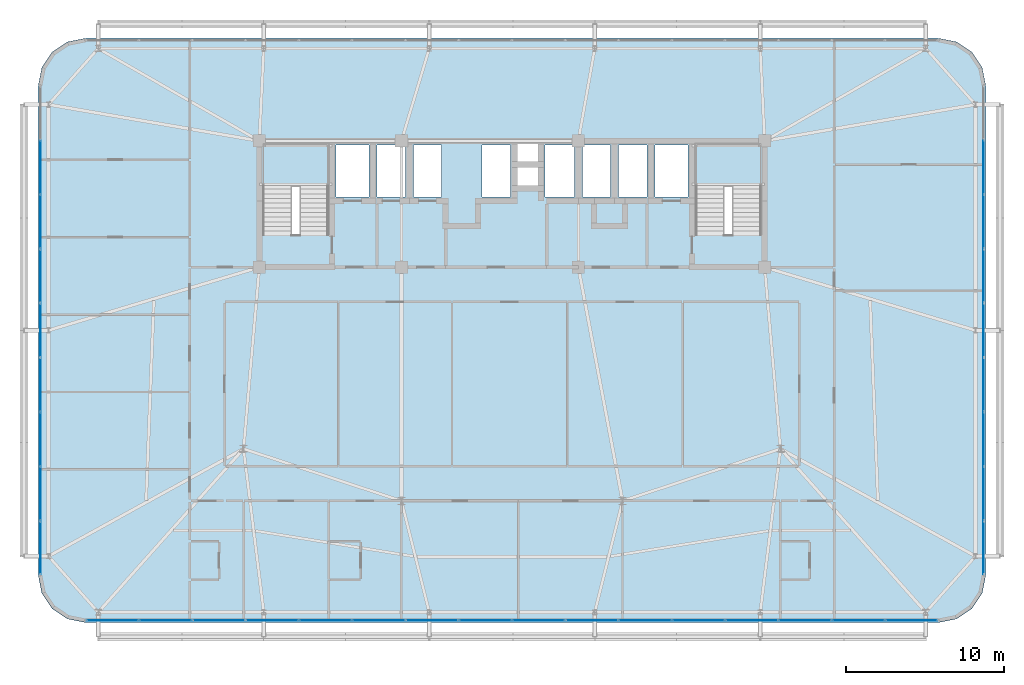
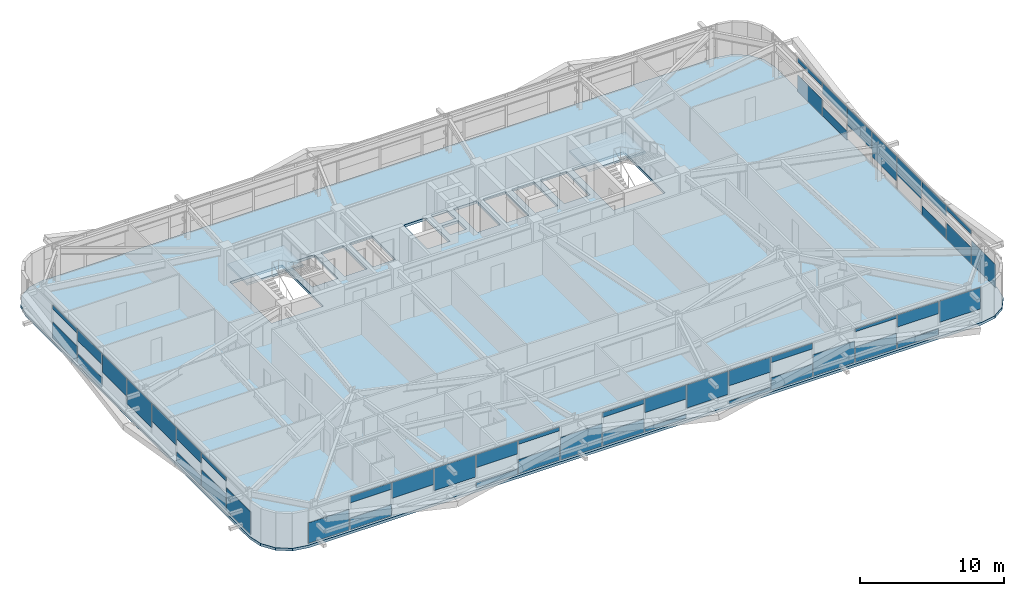
# One storey, part 42 of 58: 49 plates, 3 slabs, 5 elements without a shape of their own.
"""IFC4 building model written with IfcOpenShell, lengths in metres."""

from ifc_helpers import new_model, si_unit, direction, frame, origin, origin_2d, place, context, subcontext, project, spatial, polyline, rectangle, outline, extrude, source, transform, mapped, material, layer, layer_set, type_object, element, aggregate, save


model = new_model("IFC4")

# Units and contexts
model_context = context("Model", 3, precision=1e-05, world=origin(), true_north=direction((0.0, 1.0)))
body_context = subcontext(model_context, "Body", "Model", "MODEL_VIEW")
ifc_project = project(units=[si_unit("LENGTHUNIT", "METRE"), si_unit("AREAUNIT", "SQUARE_METRE"), si_unit("VOLUMEUNIT", "CUBIC_METRE"), si_unit("PLANEANGLEUNIT", "RADIAN"), si_unit("MASSUNIT", "GRAM", prefix="KILO")], contexts=[model_context])

# Site, building, storey
site_placement = place(None, origin())
site = spatial("IfcSite", under=ifc_project, at=site_placement, CompositionType="ELEMENT")
building_placement = place(site_placement, origin())
building = spatial("IfcBuilding", under=site, at=building_placement, Name="Taldren Reach Tower", CompositionType="ELEMENT")
storey_placement = place(building_placement, frame((0.0, 0.0, 32.550048828125)))
storey = spatial("IfcBuildingStorey", under=building, at=storey_placement, Name="L09", CompositionType="ELEMENT", Elevation=32.550048828125)

# Slab
ifc_material_1 = material(Name="Concrete N40 (40 MPa)", Category="concrete")
ifc_layer_1 = layer(ifc_material_1, 0.219970703125)
ifc_layer_set_1 = layer_set([ifc_layer_1], Name="Concrete N40 (40 MPa)")
slab_type_1 = type_object("IfcSlabType", Name="SL-FLR-220", PredefinedType="FLOOR", material=ifc_layer_set_1)
slab_1_placement = place(storey_placement, frame((0.0, 0.0, -0.219970703125)))
element("IfcSlab", 1, at=slab_1_placement, inside=storey, type_object=slab_type_1, Name="Suspended floor slab L09", PredefinedType="FLOOR", context=body_context, shape_type="SweptSolid", body=[
    extrude(outline(polyline([(62.0, 1.5), (63.14794921875, 1.728271484375), (64.121337890625, 2.378662109375), (64.771728515625, 3.35205078125), (65.0, 4.5), (65.0, 35.5), (64.771728515625, 36.64794921875), (64.121337890625, 37.621337890625), (63.14794921875, 38.271728515625), (62.0, 38.5), (8.0, 38.5), (6.85205078125, 38.271728515625), (5.878662109375, 37.621337890625), (5.228271484375, 36.64794921875), (5.0, 35.5), (5.0, 4.5), (5.228271484375, 3.35205078125), (5.878662109375, 2.378662109375), (6.85205078125, 1.728271484375), (8.0, 1.5), (62.0, 1.5)]), holes=[polyline([(19.219970703125, 26.050048828125), (23.3798828125, 26.050048828125), (23.3798828125, 31.820068359375), (19.219970703125, 31.820068359375), (19.219970703125, 26.050048828125)]), polyline([(46.6201171875, 26.050048828125), (50.780029296875, 26.050048828125), (50.780029296875, 31.820068359375), (46.6201171875, 31.820068359375), (46.6201171875, 26.050048828125)]), polyline([(23.85009765625, 28.449951171875), (25.949951171875, 28.449951171875), (25.949951171875, 31.75), (23.85009765625, 31.75), (23.85009765625, 28.449951171875)]), polyline([(44.050048828125, 28.449951171875), (46.14990234375, 28.449951171875), (46.14990234375, 31.75), (44.050048828125, 31.75), (44.050048828125, 28.449951171875)]), polyline([(26.449951171875, 28.449951171875), (28.25, 28.449951171875), (28.25, 31.75), (26.449951171875, 31.75), (26.449951171875, 28.449951171875)]), polyline([(28.75, 28.449951171875), (30.550048828125, 28.449951171875), (30.550048828125, 31.75), (28.75, 31.75), (28.75, 28.449951171875)]), polyline([(33.10009765625, 28.449951171875), (34.89990234375, 28.449951171875), (34.89990234375, 31.75), (33.10009765625, 31.75), (33.10009765625, 28.449951171875)]), polyline([(37.10009765625, 28.449951171875), (38.949951171875, 28.449951171875), (38.949951171875, 31.75), (37.10009765625, 31.75), (37.10009765625, 28.449951171875)]), polyline([(39.449951171875, 28.449951171875), (41.25, 28.449951171875), (41.25, 31.75), (39.449951171875, 31.75), (39.449951171875, 28.449951171875)]), polyline([(41.75, 28.449951171875), (43.550048828125, 28.449951171875), (43.550048828125, 31.75), (41.75, 31.75), (41.75, 28.449951171875)]), polyline([(35.35009765625, 30.64990234375), (36.64990234375, 30.64990234375), (36.64990234375, 31.85009765625), (35.35009765625, 31.85009765625), (35.35009765625, 30.64990234375)]), polyline([(35.35009765625, 29.14990234375), (36.64990234375, 29.14990234375), (36.64990234375, 30.35009765625), (35.35009765625, 30.35009765625), (35.35009765625, 29.14990234375)])]), origin(), (0.0, 0.0, 1.0), 0.219970703125),
])

# Stair, slab
ifc_material_2 = material(Name="Concrete S50 (50 MPa)", Category="concrete")
stair_type = type_object("IfcStairType", Name="ST-HT-315", PredefinedType="HALF_TURN_STAIR", material=ifc_material_2)
stair_1_placement = place(storey_placement, origin())
stair_1 = element("IfcStair", 2, at=stair_1_placement, inside=storey, type_object=stair_type, Name="Fire-isolated exit stair ST1 L09", PredefinedType="HALF_TURN_STAIR")
ifc_layer_2 = layer(ifc_material_2, 0.179931640625)
ifc_layer_set_2 = layer_set([ifc_layer_2], Name="Concrete S50 (50 MPa)")
slab_type_2 = type_object("IfcSlabType", Name="SL-LAND-180", PredefinedType="LANDING", material=ifc_layer_set_2)
slab_2_placement = place(storey_placement, frame((0.0, 0.0, 1.39501953125)))
slab_2 = element("IfcSlab", 3, at=slab_2_placement, type_object=slab_type_2, Name="ST1 landing 1", PredefinedType="LANDING", context=body_context, shape_type="SweptSolid", body=[
    extrude(outline(polyline([(19.0400390625, 29.135009765625), (23.56005859375, 29.135009765625), (23.56005859375, 31.8701171875), (19.0400390625, 31.8701171875), (19.0400390625, 29.135009765625)])), origin(), (0.0, 0.0, 1.0), 0.179931640625),
])
aggregate(stair_1, [slab_2])

stair_2_placement = place(storey_placement, origin())
stair_2 = element("IfcStair", 4, at=stair_2_placement, inside=storey, type_object=stair_type, Name="Fire-isolated exit stair ST2 L09", PredefinedType="HALF_TURN_STAIR")
slab_3_placement = place(storey_placement, frame((0.0, 0.0, 1.39501953125)))
slab_3 = element("IfcSlab", 5, at=slab_3_placement, type_object=slab_type_2, Name="ST2 landing 1", PredefinedType="LANDING", context=body_context, shape_type="SweptSolid", body=[
    extrude(outline(polyline([(46.43994140625, 29.135009765625), (50.9599609375, 29.135009765625), (50.9599609375, 31.8701171875), (46.43994140625, 31.8701171875), (46.43994140625, 29.135009765625)])), origin(), (0.0, 0.0, 1.0), 0.179931640625),
])
aggregate(stair_2, [slab_3])

# Curtain wall, plates
ifc_material_3 = material(Name="Aluminium and Low-E Glass Unitised System", Category="aluminium")
ifc_layer_3 = layer(ifc_material_3, 0.159912109375)
ifc_layer_set_3 = layer_set([ifc_layer_3], Name="Aluminium and Low-E Glass Unitised System")
curtain_wall_type = type_object("IfcCurtainWallType", Name="CW-SYS-2", PredefinedType="NOTDEFINED", material=ifc_layer_set_3)
curtain_wall_1_placement = place(storey_placement, origin())
curtain_wall_1 = element("IfcCurtainWall", 6, at=curtain_wall_1_placement, inside=storey, type_object=curtain_wall_type, Name="Unitised curtain wall CW-L09-S", PredefinedType="NOTDEFINED")
ifc_material_4 = material(Name="Solar-Control Double Glazed IGU", Category="glass")
ifc_layer_4 = layer(ifc_material_4, 0.031982421875)
ifc_layer_set_4 = layer_set([ifc_layer_4], Name="Solar-Control Double Glazed IGU")
plate_type = type_object("IfcPlateType", Name="CW-PNL-IGU32", PredefinedType="CURTAIN_PANEL", material=ifc_layer_set_4)
shared_shape_1 = source(origin(), body_context, "Body", "SweptSolid", [
    extrude(rectangle(XDim=3.277587890625, YDim=0.031982421875, at=origin_2d()), origin(), (0.0, 0.0, 1.0), 1.73876953125),
])
plate_1_placement = place(storey_placement, frame((9.703857421875, 1.639892578125, 0.054931640625), z_axis=(0.0, 0.0, 1.0), x_axis=(1.0, 0.0, 0.0)))
plate_1 = element("IfcPlate", 7, at=plate_1_placement, type_object=plate_type, Name="CW-2 panel 1.1 part 1", PredefinedType="CURTAIN_PANEL", context=body_context, shape_type="MappedRepresentation", body=[
    mapped(shared_shape_1, transform((0.0, 0.0, 0.0), scale=1.0)),
])
shared_shape_2 = source(origin(), body_context, "Body", "SweptSolid", [
    extrude(rectangle(XDim=3.31005859375, YDim=0.031982421875, at=origin_2d()), origin(), (0.0, 0.0, 1.0), 0.9560546875),
])
plate_2_placement = place(storey_placement, frame((13.0625, 1.639892578125, 0.054931640625), z_axis=(0.0, 0.0, 1.0), x_axis=(1.0, 0.0, 0.0)))
plate_2 = element("IfcPlate", 8, at=plate_2_placement, type_object=plate_type, Name="CW-2 panel 2.1 part 1", PredefinedType="CURTAIN_PANEL", context=body_context, shape_type="MappedRepresentation", body=[
    mapped(shared_shape_2, transform((0.0, 0.0, 0.0), scale=1.0)),
])
shared_shape_3 = source(origin(), body_context, "Body", "SweptSolid", [
    extrude(rectangle(XDim=3.31005859375, YDim=0.031982421875, at=origin_2d()), origin(), (0.0, 0.0, 1.0), 0.562744140625),
])
plate_3_placement = place(storey_placement, frame((13.0625, 1.639892578125, 2.31201171875), z_axis=(0.0, 0.0, 1.0), x_axis=(1.0, 0.0, 0.0)))
plate_3 = element("IfcPlate", 9, at=plate_3_placement, type_object=plate_type, Name="CW-2 panel 2.1 part 2", PredefinedType="CURTAIN_PANEL", context=body_context, shape_type="MappedRepresentation", body=[
    mapped(shared_shape_3, transform((0.0, 0.0, 0.0), scale=1.0)),
])
shared_shape_4 = source(origin(), body_context, "Body", "SweptSolid", [
    extrude(rectangle(XDim=3.31005859375, YDim=0.031982421875, at=origin_2d()), origin(), (0.0, 0.0, 1.0), 1.345458984375),
])
plate_4_placement = place(storey_placement, frame((16.4375, 1.639892578125, 1.529296875), z_axis=(0.0, 0.0, 1.0), x_axis=(1.0, 0.0, 0.0)))
plate_4 = element("IfcPlate", 10, at=plate_4_placement, type_object=plate_type, Name="CW-2 panel 3.1 part 1", PredefinedType="CURTAIN_PANEL", context=body_context, shape_type="MappedRepresentation", body=[
    mapped(shared_shape_4, transform((0.0, 0.0, 0.0), scale=1.0)),
])
shared_shape_5 = source(origin(), body_context, "Body", "SweptSolid", [
    extrude(rectangle(XDim=3.31005859375, YDim=0.031982421875, at=origin_2d()), origin(), (0.0, 0.0, 1.0), 1.881103515625),
])
plate_5_placement = place(storey_placement, frame((19.8125, 1.639892578125, 0.99365234375), z_axis=(0.0, 0.0, 1.0), x_axis=(1.0, 0.0, 0.0)))
plate_5 = element("IfcPlate", 11, at=plate_5_placement, type_object=plate_type, Name="CW-2 panel 4.1 part 1", PredefinedType="CURTAIN_PANEL", context=body_context, shape_type="MappedRepresentation", body=[
    mapped(shared_shape_5, transform((0.0, 0.0, 0.0), scale=1.0)),
])
shared_shape_6 = source(origin(), body_context, "Body", "SweptSolid", [
    extrude(rectangle(XDim=3.31005859375, YDim=0.031982421875, at=origin_2d()), origin(), (0.0, 0.0, 1.0), 0.42041015625),
])
plate_6_placement = place(storey_placement, frame((23.1875, 1.639892578125, 0.054931640625), z_axis=(0.0, 0.0, 1.0), x_axis=(1.0, 0.0, 0.0)))
plate_6 = element("IfcPlate", 12, at=plate_6_placement, type_object=plate_type, Name="CW-2 panel 5.1 part 1", PredefinedType="CURTAIN_PANEL", context=body_context, shape_type="MappedRepresentation", body=[
    mapped(shared_shape_6, transform((0.0, 0.0, 0.0), scale=1.0)),
])
shared_shape_7 = source(origin(), body_context, "Body", "SweptSolid", [
    extrude(rectangle(XDim=3.31005859375, YDim=0.031982421875, at=origin_2d()), origin(), (0.0, 0.0, 1.0), 1.098388671875),
])
plate_7_placement = place(storey_placement, frame((23.1875, 1.639892578125, 1.7763671875), z_axis=(0.0, 0.0, 1.0), x_axis=(1.0, 0.0, 0.0)))
plate_7 = element("IfcPlate", 13, at=plate_7_placement, type_object=plate_type, Name="CW-2 panel 5.1 part 2", PredefinedType="CURTAIN_PANEL", context=body_context, shape_type="MappedRepresentation", body=[
    mapped(shared_shape_7, transform((0.0, 0.0, 0.0), scale=1.0)),
])
shared_shape_8 = source(origin(), body_context, "Body", "SweptSolid", [
    extrude(rectangle(XDim=3.31005859375, YDim=0.031982421875, at=origin_2d()), origin(), (0.0, 0.0, 1.0), 1.203125),
])
plate_8_placement = place(storey_placement, frame((26.5625, 1.639892578125, 0.054931640625), z_axis=(0.0, 0.0, 1.0), x_axis=(1.0, 0.0, 0.0)))
plate_8 = element("IfcPlate", 14, at=plate_8_placement, type_object=plate_type, Name="CW-2 panel 6.1 part 1", PredefinedType="CURTAIN_PANEL", context=body_context, shape_type="MappedRepresentation", body=[
    mapped(shared_shape_8, transform((0.0, 0.0, 0.0), scale=1.0)),
])
shared_shape_9 = source(origin(), body_context, "Body", "SweptSolid", [
    extrude(rectangle(XDim=3.31005859375, YDim=0.031982421875, at=origin_2d()), origin(), (0.0, 0.0, 1.0), 0.31591796875),
])
plate_9_placement = place(storey_placement, frame((26.5625, 1.639892578125, 2.55908203125), z_axis=(0.0, 0.0, 1.0), x_axis=(1.0, 0.0, 0.0)))
plate_9 = element("IfcPlate", 15, at=plate_9_placement, type_object=plate_type, Name="CW-2 panel 6.1 part 2", PredefinedType="CURTAIN_PANEL", context=body_context, shape_type="MappedRepresentation", body=[
    mapped(shared_shape_9, transform((0.0, 0.0, 0.0), scale=1.0)),
])
shared_shape_10 = source(origin(), body_context, "Body", "SweptSolid", [
    extrude(rectangle(XDim=3.31005859375, YDim=0.031982421875, at=origin_2d()), origin(), (0.0, 0.0, 1.0), 1.9033203125),
])
plate_10_placement = place(storey_placement, frame((29.9375, 1.639892578125, 0.054931640625), z_axis=(0.0, 0.0, 1.0), x_axis=(1.0, 0.0, 0.0)))
plate_10 = element("IfcPlate", 16, at=plate_10_placement, type_object=plate_type, Name="CW-2 panel 7.1 part 1", PredefinedType="CURTAIN_PANEL", context=body_context, shape_type="MappedRepresentation", body=[
    mapped(shared_shape_10, transform((0.0, 0.0, 0.0), scale=1.0)),
])
shared_shape_11 = source(origin(), body_context, "Body", "SweptSolid", [
    extrude(rectangle(XDim=3.31005859375, YDim=0.031982421875, at=origin_2d()), origin(), (0.0, 0.0, 1.0), 1.120849609375),
])
plate_11_placement = place(storey_placement, frame((33.3125, 1.639892578125, 0.0546875), z_axis=(0.0, 0.0, 1.0), x_axis=(1.0, 0.0, 0.0)))
plate_11 = element("IfcPlate", 17, at=plate_11_placement, type_object=plate_type, Name="CW-2 panel 8.1 part 1", PredefinedType="CURTAIN_PANEL", context=body_context, shape_type="MappedRepresentation", body=[
    mapped(shared_shape_11, transform((0.0, 0.0, 0.0), scale=1.0)),
])
shared_shape_12 = source(origin(), body_context, "Body", "SweptSolid", [
    extrude(rectangle(XDim=3.31005859375, YDim=0.031982421875, at=origin_2d()), origin(), (0.0, 0.0, 1.0), 0.398193359375),
])
plate_12_placement = place(storey_placement, frame((33.3125, 1.639892578125, 2.4765625), z_axis=(0.0, 0.0, 1.0), x_axis=(1.0, 0.0, 0.0)))
plate_12 = element("IfcPlate", 18, at=plate_12_placement, type_object=plate_type, Name="CW-2 panel 8.1 part 2", PredefinedType="CURTAIN_PANEL", context=body_context, shape_type="MappedRepresentation", body=[
    mapped(shared_shape_12, transform((0.0, 0.0, 0.0), scale=1.0)),
])
shared_shape_13 = source(origin(), body_context, "Body", "SweptSolid", [
    extrude(rectangle(XDim=3.31005859375, YDim=0.031982421875, at=origin_2d()), origin(), (0.0, 0.0, 1.0), 0.338134765625),
])
plate_13_placement = place(storey_placement, frame((36.6875, 1.639892578125, 0.05517578125), z_axis=(0.0, 0.0, 1.0), x_axis=(1.0, 0.0, 0.0)))
plate_13 = element("IfcPlate", 19, at=plate_13_placement, type_object=plate_type, Name="CW-2 panel 9.1 part 1", PredefinedType="CURTAIN_PANEL", context=body_context, shape_type="MappedRepresentation", body=[
    mapped(shared_shape_13, transform((0.0, 0.0, 0.0), scale=1.0)),
])
shared_shape_14 = source(origin(), body_context, "Body", "SweptSolid", [
    extrude(rectangle(XDim=3.31005859375, YDim=0.031982421875, at=origin_2d()), origin(), (0.0, 0.0, 1.0), 1.1806640625),
])
plate_14_placement = place(storey_placement, frame((36.6875, 1.639892578125, 1.6943359375), z_axis=(0.0, 0.0, 1.0), x_axis=(1.0, 0.0, 0.0)))
plate_14 = element("IfcPlate", 20, at=plate_14_placement, type_object=plate_type, Name="CW-2 panel 9.1 part 2", PredefinedType="CURTAIN_PANEL", context=body_context, shape_type="MappedRepresentation", body=[
    mapped(shared_shape_14, transform((0.0, 0.0, 0.0), scale=1.0)),
])
shared_shape_15 = source(origin(), body_context, "Body", "SweptSolid", [
    extrude(rectangle(XDim=3.31005859375, YDim=0.031982421875, at=origin_2d()), origin(), (0.0, 0.0, 1.0), 1.96337890625),
])
plate_15_placement = place(storey_placement, frame((40.0625, 1.639892578125, 0.91162109375), z_axis=(0.0, 0.0, 1.0), x_axis=(1.0, 0.0, 0.0)))
plate_15 = element("IfcPlate", 21, at=plate_15_placement, type_object=plate_type, Name="CW-2 panel 10.1 part 1", PredefinedType="CURTAIN_PANEL", context=body_context, shape_type="MappedRepresentation", body=[
    mapped(shared_shape_15, transform((0.0, 0.0, 0.0), scale=1.0)),
])
shared_shape_16 = source(origin(), body_context, "Body", "SweptSolid", [
    extrude(rectangle(XDim=3.31005859375, YDim=0.031982421875, at=origin_2d()), origin(), (0.0, 0.0, 1.0), 0.255859375),
])
plate_16_placement = place(storey_placement, frame((43.4375, 1.639892578125, 0.054931640625), z_axis=(0.0, 0.0, 1.0), x_axis=(1.0, 0.0, 0.0)))
plate_16 = element("IfcPlate", 22, at=plate_16_placement, type_object=plate_type, Name="CW-2 panel 11.1 part 1", PredefinedType="CURTAIN_PANEL", context=body_context, shape_type="MappedRepresentation", body=[
    mapped(shared_shape_16, transform((0.0, 0.0, 0.0), scale=1.0)),
])
shared_shape_17 = source(origin(), body_context, "Body", "SweptSolid", [
    extrude(rectangle(XDim=3.31005859375, YDim=0.031982421875, at=origin_2d()), origin(), (0.0, 0.0, 1.0), 1.26318359375),
])
plate_17_placement = place(storey_placement, frame((43.4375, 1.639892578125, 1.61181640625), z_axis=(0.0, 0.0, 1.0), x_axis=(1.0, 0.0, 0.0)))
plate_17 = element("IfcPlate", 23, at=plate_17_placement, type_object=plate_type, Name="CW-2 panel 11.1 part 2", PredefinedType="CURTAIN_PANEL", context=body_context, shape_type="MappedRepresentation", body=[
    mapped(shared_shape_17, transform((0.0, 0.0, 0.0), scale=1.0)),
])
shared_shape_18 = source(origin(), body_context, "Body", "SweptSolid", [
    extrude(rectangle(XDim=3.31005859375, YDim=0.031982421875, at=origin_2d()), origin(), (0.0, 0.0, 1.0), 1.03857421875),
])
plate_18_placement = place(storey_placement, frame((46.8125, 1.639892578125, 0.054931640625), z_axis=(0.0, 0.0, 1.0), x_axis=(1.0, 0.0, 0.0)))
plate_18 = element("IfcPlate", 24, at=plate_18_placement, type_object=plate_type, Name="CW-2 panel 12.1 part 1", PredefinedType="CURTAIN_PANEL", context=body_context, shape_type="MappedRepresentation", body=[
    mapped(shared_shape_18, transform((0.0, 0.0, 0.0), scale=1.0)),
])
shared_shape_19 = source(origin(), body_context, "Body", "SweptSolid", [
    extrude(rectangle(XDim=3.31005859375, YDim=0.031982421875, at=origin_2d()), origin(), (0.0, 0.0, 1.0), 0.48046875),
])
plate_19_placement = place(storey_placement, frame((46.8125, 1.639892578125, 2.39453125), z_axis=(0.0, 0.0, 1.0), x_axis=(1.0, 0.0, 0.0)))
plate_19 = element("IfcPlate", 25, at=plate_19_placement, type_object=plate_type, Name="CW-2 panel 12.1 part 2", PredefinedType="CURTAIN_PANEL", context=body_context, shape_type="MappedRepresentation", body=[
    mapped(shared_shape_19, transform((0.0, 0.0, 0.0), scale=1.0)),
])
shared_shape_20 = source(origin(), body_context, "Body", "SweptSolid", [
    extrude(rectangle(XDim=3.31005859375, YDim=0.031982421875, at=origin_2d()), origin(), (0.0, 0.0, 1.0), 1.821044921875),
])
plate_20_placement = place(storey_placement, frame((50.1875, 1.639892578125, 0.05517578125), z_axis=(0.0, 0.0, 1.0), x_axis=(1.0, 0.0, 0.0)))
plate_20 = element("IfcPlate", 26, at=plate_20_placement, type_object=plate_type, Name="CW-2 panel 13.1 part 1", PredefinedType="CURTAIN_PANEL", context=body_context, shape_type="MappedRepresentation", body=[
    mapped(shared_shape_20, transform((0.0, 0.0, 0.0), scale=1.0)),
])
shared_shape_21 = source(origin(), body_context, "Body", "SweptSolid", [
    extrude(rectangle(XDim=3.31005859375, YDim=0.031982421875, at=origin_2d()), origin(), (0.0, 0.0, 1.0), 1.285400390625),
])
plate_21_placement = place(storey_placement, frame((53.5625, 1.639892578125, 0.05517578125), z_axis=(0.0, 0.0, 1.0), x_axis=(1.0, 0.0, 0.0)))
plate_21 = element("IfcPlate", 27, at=plate_21_placement, type_object=plate_type, Name="CW-2 panel 14.1 part 1", PredefinedType="CURTAIN_PANEL", context=body_context, shape_type="MappedRepresentation", body=[
    mapped(shared_shape_21, transform((0.0, 0.0, 0.0), scale=1.0)),
])
shared_shape_22 = source(origin(), body_context, "Body", "SweptSolid", [
    extrude(rectangle(XDim=3.31005859375, YDim=0.031982421875, at=origin_2d()), origin(), (0.0, 0.0, 1.0), 0.233642578125),
])
plate_22_placement = place(storey_placement, frame((53.5625, 1.639892578125, 2.64111328125), z_axis=(0.0, 0.0, 1.0), x_axis=(1.0, 0.0, 0.0)))
plate_22 = element("IfcPlate", 28, at=plate_22_placement, type_object=plate_type, Name="CW-2 panel 14.1 part 2", PredefinedType="CURTAIN_PANEL", context=body_context, shape_type="MappedRepresentation", body=[
    mapped(shared_shape_22, transform((0.0, 0.0, 0.0), scale=1.0)),
])
shared_shape_23 = source(origin(), body_context, "Body", "SweptSolid", [
    extrude(rectangle(XDim=3.31005859375, YDim=0.031982421875, at=origin_2d()), origin(), (0.0, 0.0, 1.0), 0.5029296875),
])
plate_23_placement = place(storey_placement, frame((56.9375, 1.639892578125, 0.054931640625), z_axis=(0.0, 0.0, 1.0), x_axis=(1.0, 0.0, 0.0)))
plate_23 = element("IfcPlate", 29, at=plate_23_placement, type_object=plate_type, Name="CW-2 panel 15.1 part 1", PredefinedType="CURTAIN_PANEL", context=body_context, shape_type="MappedRepresentation", body=[
    mapped(shared_shape_23, transform((0.0, 0.0, 0.0), scale=1.0)),
])
shared_shape_24 = source(origin(), body_context, "Body", "SweptSolid", [
    extrude(rectangle(XDim=3.31005859375, YDim=0.031982421875, at=origin_2d()), origin(), (0.0, 0.0, 1.0), 1.01611328125),
])
plate_24_placement = place(storey_placement, frame((56.9375, 1.639892578125, 1.85888671875), z_axis=(0.0, 0.0, 1.0), x_axis=(1.0, 0.0, 0.0)))
plate_24 = element("IfcPlate", 30, at=plate_24_placement, type_object=plate_type, Name="CW-2 panel 15.1 part 2", PredefinedType="CURTAIN_PANEL", context=body_context, shape_type="MappedRepresentation", body=[
    mapped(shared_shape_24, transform((0.0, 0.0, 0.0), scale=1.0)),
])
shared_shape_25 = source(origin(), body_context, "Body", "SweptSolid", [
    extrude(rectangle(XDim=3.277587890625, YDim=0.031982421875, at=origin_2d()), origin(), (0.0, 0.0, 1.0), 1.798583984375),
])
plate_25_placement = place(storey_placement, frame((60.296142578125, 1.639892578125, 1.076171875), z_axis=(0.0, 0.0, 1.0), x_axis=(1.0, 0.0, 0.0)))
plate_25 = element("IfcPlate", 31, at=plate_25_placement, type_object=plate_type, Name="CW-2 panel 16.1 part 1", PredefinedType="CURTAIN_PANEL", context=body_context, shape_type="MappedRepresentation", body=[
    mapped(shared_shape_25, transform((0.0, 0.0, 0.0), scale=1.0)),
])
aggregate(curtain_wall_1, [plate_1, plate_2, plate_3, plate_4, plate_5, plate_6, plate_7, plate_8, plate_9, plate_10, plate_11, plate_12, plate_13, plate_14, plate_15, plate_16, plate_17, plate_18, plate_19, plate_20, plate_21, plate_22, plate_23, plate_24, plate_25])

# Curtain wall, plate
curtain_wall_2_placement = place(storey_placement, origin())
curtain_wall_2 = element("IfcCurtainWall", 32, at=curtain_wall_2_placement, inside=storey, type_object=curtain_wall_type, Name="Unitised curtain wall CW-L09-W", PredefinedType="NOTDEFINED")
shared_shape_26 = source(origin(), body_context, "Body", "SweptSolid", [
    extrude(rectangle(XDim=3.346923828125, YDim=0.031982421875, at=origin_2d()), origin(), (0.0, 0.0, 1.0), 1.95556640625),
])
plate_26_placement = place(storey_placement, frame((5.139892578125, 6.238525390625, 0.054931640625), z_axis=(0.0, 0.0, 1.0), x_axis=(0.0, -1.0, 0.0)))
plate_26 = element("IfcPlate", 33, at=plate_26_placement, type_object=plate_type, Name="CW-2 panel 9.1 part 1", PredefinedType="CURTAIN_PANEL", context=body_context, shape_type="MappedRepresentation", body=[
    mapped(shared_shape_26, transform((0.0, 0.0, 0.0), scale=1.0)),
])

curtain_wall_3_placement = place(storey_placement, origin())
curtain_wall_3 = element("IfcCurtainWall", 34, at=curtain_wall_3_placement, inside=storey, type_object=curtain_wall_type, Name="Unitised curtain wall CW-L09-E", PredefinedType="NOTDEFINED")
plate_27_placement = place(storey_placement, frame((64.860107421875, 6.238525390625, 0.054931640625), z_axis=(0.0, 0.0, 1.0), x_axis=(0.0, 1.0, 0.0)))
plate_27 = element("IfcPlate", 35, at=plate_27_placement, type_object=plate_type, Name="CW-2 panel 1.1 part 1", PredefinedType="CURTAIN_PANEL", context=body_context, shape_type="MappedRepresentation", body=[
    mapped(shared_shape_26, transform((0.0, 0.0, 0.0), scale=1.0)),
])

# Plate
shared_shape_27 = source(origin(), body_context, "Body", "SweptSolid", [
    extrude(rectangle(XDim=3.37939453125, YDim=0.031982421875, at=origin_2d()), origin(), (0.0, 0.0, 1.0), 1.3701171875),
])
plate_28_placement = place(storey_placement, frame((5.139892578125, 30.333251953125, 0.054931640625), z_axis=(0.0, 0.0, 1.0), x_axis=(0.0, -1.0, 0.0)))
plate_28 = element("IfcPlate", 36, at=plate_28_placement, type_object=plate_type, Name="CW-2 panel 2.1 part 1", PredefinedType="CURTAIN_PANEL", context=body_context, shape_type="MappedRepresentation", body=[
    mapped(shared_shape_27, transform((0.0, 0.0, 0.0), scale=1.0)),
])

plate_29_placement = place(storey_placement, frame((5.139892578125, 9.666748046875, 0.054931640625), z_axis=(0.0, 0.0, 1.0), x_axis=(0.0, -1.0, 0.0)))
plate_29 = element("IfcPlate", 37, at=plate_29_placement, type_object=plate_type, Name="CW-2 panel 8.1 part 1", PredefinedType="CURTAIN_PANEL", context=body_context, shape_type="MappedRepresentation", body=[
    mapped(shared_shape_27, transform((0.0, 0.0, 0.0), scale=1.0)),
])

plate_30_placement = place(storey_placement, frame((64.860107421875, 9.666748046875, 0.054931640625), z_axis=(0.0, 0.0, 1.0), x_axis=(0.0, 1.0, 0.0)))
plate_30 = element("IfcPlate", 38, at=plate_30_placement, type_object=plate_type, Name="CW-2 panel 2.1 part 1", PredefinedType="CURTAIN_PANEL", context=body_context, shape_type="MappedRepresentation", body=[
    mapped(shared_shape_27, transform((0.0, 0.0, 0.0), scale=1.0)),
])

plate_31_placement = place(storey_placement, frame((64.860107421875, 30.333251953125, 0.054931640625), z_axis=(0.0, 0.0, 1.0), x_axis=(0.0, 1.0, 0.0)))
plate_31 = element("IfcPlate", 39, at=plate_31_placement, type_object=plate_type, Name="CW-2 panel 8.1 part 1", PredefinedType="CURTAIN_PANEL", context=body_context, shape_type="MappedRepresentation", body=[
    mapped(shared_shape_27, transform((0.0, 0.0, 0.0), scale=1.0)),
])

shared_shape_28 = source(origin(), body_context, "Body", "SweptSolid", [
    extrude(rectangle(XDim=3.37939453125, YDim=0.031982421875, at=origin_2d()), origin(), (0.0, 0.0, 1.0), 0.34814453125),
])
plate_32_placement = place(storey_placement, frame((5.139892578125, 30.333251953125, 2.52685546875), z_axis=(0.0, 0.0, 1.0), x_axis=(0.0, -1.0, 0.0)))
plate_32 = element("IfcPlate", 40, at=plate_32_placement, type_object=plate_type, Name="CW-2 panel 2.1 part 2", PredefinedType="CURTAIN_PANEL", context=body_context, shape_type="MappedRepresentation", body=[
    mapped(shared_shape_28, transform((0.0, 0.0, 0.0), scale=1.0)),
])

plate_33_placement = place(storey_placement, frame((5.139892578125, 9.666748046875, 2.52685546875), z_axis=(0.0, 0.0, 1.0), x_axis=(0.0, -1.0, 0.0)))
plate_33 = element("IfcPlate", 41, at=plate_33_placement, type_object=plate_type, Name="CW-2 panel 8.1 part 2", PredefinedType="CURTAIN_PANEL", context=body_context, shape_type="MappedRepresentation", body=[
    mapped(shared_shape_28, transform((0.0, 0.0, 0.0), scale=1.0)),
])

plate_34_placement = place(storey_placement, frame((64.860107421875, 9.666748046875, 2.52685546875), z_axis=(0.0, 0.0, 1.0), x_axis=(0.0, 1.0, 0.0)))
plate_34 = element("IfcPlate", 42, at=plate_34_placement, type_object=plate_type, Name="CW-2 panel 2.1 part 2", PredefinedType="CURTAIN_PANEL", context=body_context, shape_type="MappedRepresentation", body=[
    mapped(shared_shape_28, transform((0.0, 0.0, 0.0), scale=1.0)),
])

plate_35_placement = place(storey_placement, frame((64.860107421875, 30.333251953125, 2.52685546875), z_axis=(0.0, 0.0, 1.0), x_axis=(0.0, 1.0, 0.0)))
plate_35 = element("IfcPlate", 43, at=plate_35_placement, type_object=plate_type, Name="CW-2 panel 8.1 part 2", PredefinedType="CURTAIN_PANEL", context=body_context, shape_type="MappedRepresentation", body=[
    mapped(shared_shape_28, transform((0.0, 0.0, 0.0), scale=1.0)),
])

shared_shape_29 = source(origin(), body_context, "Body", "SweptSolid", [
    extrude(rectangle(XDim=3.37939453125, YDim=0.031982421875, at=origin_2d()), origin(), (0.0, 0.0, 1.0), 0.784912109375),
])
plate_36_placement = place(storey_placement, frame((5.139892578125, 26.888916015625, 0.0546875), z_axis=(0.0, 0.0, 1.0), x_axis=(0.0, -1.0, 0.0)))
plate_36 = element("IfcPlate", 44, at=plate_36_placement, type_object=plate_type, Name="CW-2 panel 3.1 part 1", PredefinedType="CURTAIN_PANEL", context=body_context, shape_type="MappedRepresentation", body=[
    mapped(shared_shape_29, transform((0.0, 0.0, 0.0), scale=1.0)),
])

plate_37_placement = place(storey_placement, frame((5.139892578125, 13.111083984375, 0.0546875), z_axis=(0.0, 0.0, 1.0), x_axis=(0.0, -1.0, 0.0)))
plate_37 = element("IfcPlate", 45, at=plate_37_placement, type_object=plate_type, Name="CW-2 panel 7.1 part 1", PredefinedType="CURTAIN_PANEL", context=body_context, shape_type="MappedRepresentation", body=[
    mapped(shared_shape_29, transform((0.0, 0.0, 0.0), scale=1.0)),
])

plate_38_placement = place(storey_placement, frame((64.860107421875, 13.111083984375, 0.0546875), z_axis=(0.0, 0.0, 1.0), x_axis=(0.0, 1.0, 0.0)))
plate_38 = element("IfcPlate", 46, at=plate_38_placement, type_object=plate_type, Name="CW-2 panel 3.1 part 1", PredefinedType="CURTAIN_PANEL", context=body_context, shape_type="MappedRepresentation", body=[
    mapped(shared_shape_29, transform((0.0, 0.0, 0.0), scale=1.0)),
])

plate_39_placement = place(storey_placement, frame((64.860107421875, 26.888916015625, 0.0546875), z_axis=(0.0, 0.0, 1.0), x_axis=(0.0, 1.0, 0.0)))
plate_39 = element("IfcPlate", 47, at=plate_39_placement, type_object=plate_type, Name="CW-2 panel 7.1 part 1", PredefinedType="CURTAIN_PANEL", context=body_context, shape_type="MappedRepresentation", body=[
    mapped(shared_shape_29, transform((0.0, 0.0, 0.0), scale=1.0)),
])

shared_shape_30 = source(origin(), body_context, "Body", "SweptSolid", [
    extrude(rectangle(XDim=3.37939453125, YDim=0.031982421875, at=origin_2d()), origin(), (0.0, 0.0, 1.0), 0.93359375),
])
plate_40_placement = place(storey_placement, frame((5.139892578125, 26.888916015625, 1.94140625), z_axis=(0.0, 0.0, 1.0), x_axis=(0.0, -1.0, 0.0)))
plate_40 = element("IfcPlate", 48, at=plate_40_placement, type_object=plate_type, Name="CW-2 panel 3.1 part 2", PredefinedType="CURTAIN_PANEL", context=body_context, shape_type="MappedRepresentation", body=[
    mapped(shared_shape_30, transform((0.0, 0.0, 0.0), scale=1.0)),
])

plate_41_placement = place(storey_placement, frame((5.139892578125, 13.111083984375, 1.94140625), z_axis=(0.0, 0.0, 1.0), x_axis=(0.0, -1.0, 0.0)))
plate_41 = element("IfcPlate", 49, at=plate_41_placement, type_object=plate_type, Name="CW-2 panel 7.1 part 2", PredefinedType="CURTAIN_PANEL", context=body_context, shape_type="MappedRepresentation", body=[
    mapped(shared_shape_30, transform((0.0, 0.0, 0.0), scale=1.0)),
])

plate_42_placement = place(storey_placement, frame((64.860107421875, 13.111083984375, 1.94140625), z_axis=(0.0, 0.0, 1.0), x_axis=(0.0, 1.0, 0.0)))
plate_42 = element("IfcPlate", 50, at=plate_42_placement, type_object=plate_type, Name="CW-2 panel 3.1 part 2", PredefinedType="CURTAIN_PANEL", context=body_context, shape_type="MappedRepresentation", body=[
    mapped(shared_shape_30, transform((0.0, 0.0, 0.0), scale=1.0)),
])

plate_43_placement = place(storey_placement, frame((64.860107421875, 26.888916015625, 1.94140625), z_axis=(0.0, 0.0, 1.0), x_axis=(0.0, 1.0, 0.0)))
plate_43 = element("IfcPlate", 51, at=plate_43_placement, type_object=plate_type, Name="CW-2 panel 7.1 part 2", PredefinedType="CURTAIN_PANEL", context=body_context, shape_type="MappedRepresentation", body=[
    mapped(shared_shape_30, transform((0.0, 0.0, 0.0), scale=1.0)),
])

shared_shape_31 = source(origin(), body_context, "Body", "SweptSolid", [
    extrude(rectangle(XDim=3.37939453125, YDim=0.031982421875, at=origin_2d()), origin(), (0.0, 0.0, 1.0), 1.518798828125),
])
plate_44_placement = place(storey_placement, frame((5.139892578125, 23.4443359375, 1.35595703125), z_axis=(0.0, 0.0, 1.0), x_axis=(0.0, -1.0, 0.0)))
plate_44 = element("IfcPlate", 52, at=plate_44_placement, type_object=plate_type, Name="CW-2 panel 4.1 part 1", PredefinedType="CURTAIN_PANEL", context=body_context, shape_type="MappedRepresentation", body=[
    mapped(shared_shape_31, transform((0.0, 0.0, 0.0), scale=1.0)),
])

plate_45_placement = place(storey_placement, frame((5.139892578125, 16.5556640625, 1.35595703125), z_axis=(0.0, 0.0, 1.0), x_axis=(0.0, -1.0, 0.0)))
plate_45 = element("IfcPlate", 53, at=plate_45_placement, type_object=plate_type, Name="CW-2 panel 6.1 part 1", PredefinedType="CURTAIN_PANEL", context=body_context, shape_type="MappedRepresentation", body=[
    mapped(shared_shape_31, transform((0.0, 0.0, 0.0), scale=1.0)),
])

plate_46_placement = place(storey_placement, frame((64.860107421875, 16.5556640625, 1.35595703125), z_axis=(0.0, 0.0, 1.0), x_axis=(0.0, 1.0, 0.0)))
plate_46 = element("IfcPlate", 54, at=plate_46_placement, type_object=plate_type, Name="CW-2 panel 4.1 part 1", PredefinedType="CURTAIN_PANEL", context=body_context, shape_type="MappedRepresentation", body=[
    mapped(shared_shape_31, transform((0.0, 0.0, 0.0), scale=1.0)),
])

plate_47_placement = place(storey_placement, frame((64.860107421875, 23.4443359375, 1.35595703125), z_axis=(0.0, 0.0, 1.0), x_axis=(0.0, 1.0, 0.0)))
plate_47 = element("IfcPlate", 55, at=plate_47_placement, type_object=plate_type, Name="CW-2 panel 6.1 part 1", PredefinedType="CURTAIN_PANEL", context=body_context, shape_type="MappedRepresentation", body=[
    mapped(shared_shape_31, transform((0.0, 0.0, 0.0), scale=1.0)),
])

shared_shape_32 = source(origin(), body_context, "Body", "SweptSolid", [
    extrude(rectangle(XDim=3.37939453125, YDim=0.031982421875, at=origin_2d()), origin(), (0.0, 0.0, 1.0), 2.104248046875),
])
plate_48_placement = place(storey_placement, frame((5.139892578125, 20.0, 0.7705078125), z_axis=(0.0, 0.0, 1.0), x_axis=(0.0, -1.0, 0.0)))
plate_48 = element("IfcPlate", 56, at=plate_48_placement, type_object=plate_type, Name="CW-2 panel 5.1 part 1", PredefinedType="CURTAIN_PANEL", context=body_context, shape_type="MappedRepresentation", body=[
    mapped(shared_shape_32, transform((0.0, 0.0, 0.0), scale=1.0)),
])

aggregate(curtain_wall_2, [plate_28, plate_32, plate_36, plate_40, plate_44, plate_48, plate_45, plate_37, plate_41, plate_29, plate_33, plate_26])

plate_49_placement = place(storey_placement, frame((64.860107421875, 20.0, 0.7705078125), z_axis=(0.0, 0.0, 1.0), x_axis=(0.0, 1.0, 0.0)))
plate_49 = element("IfcPlate", 57, at=plate_49_placement, type_object=plate_type, Name="CW-2 panel 5.1 part 1", PredefinedType="CURTAIN_PANEL", context=body_context, shape_type="MappedRepresentation", body=[
    mapped(shared_shape_32, transform((0.0, 0.0, 0.0), scale=1.0)),
])

aggregate(curtain_wall_3, [plate_27, plate_30, plate_34, plate_38, plate_42, plate_46, plate_49, plate_47, plate_39, plate_43, plate_31, plate_35])

save(model, "model.ifc")
